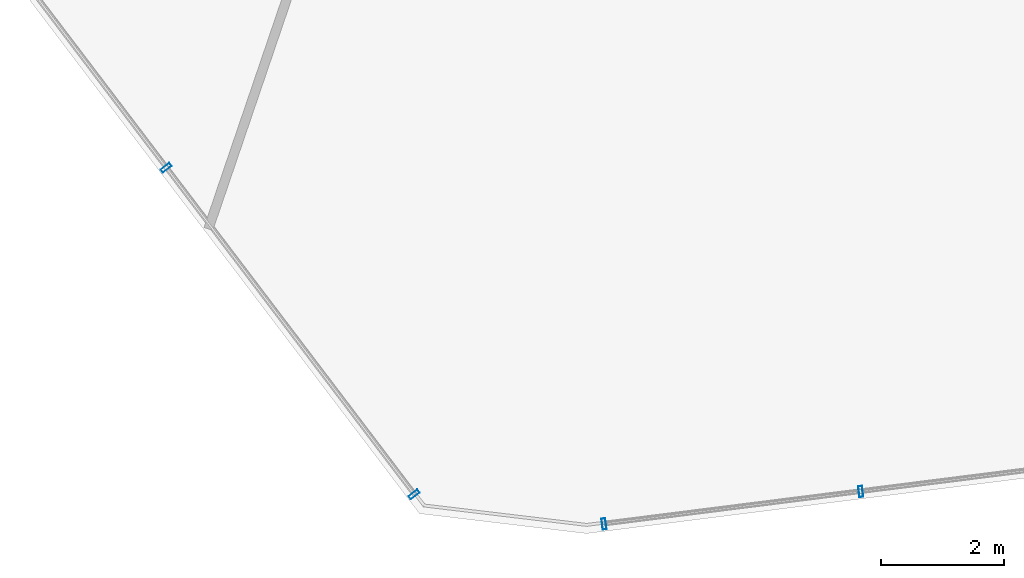
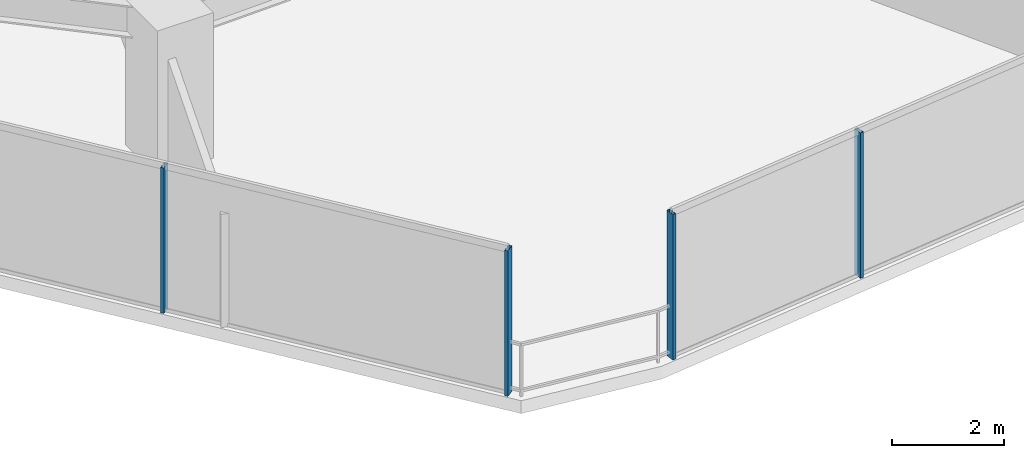
# One storey, part 4 of 30: 4 members, 2 elements without a shape of their own.
"""IFC4 building model written with IfcOpenShell, lengths in metres."""

from ifc_helpers import new_model, si_unit, direction, frame, origin, origin_2d, place, context, subcontext, project, spatial, hollow_rectangle, extrude, material, layer, layer_set, material_profile, profile_set, type_object, element, aggregate, save


model = new_model("IFC4")

# Units and contexts
model_context = context("Model", 3, precision=1e-05, world=origin(), true_north=direction((0.0, 1.0)))
body_context = subcontext(model_context, "Body", "Model", "MODEL_VIEW")
ifc_project = project(units=[si_unit("LENGTHUNIT", "METRE"), si_unit("AREAUNIT", "SQUARE_METRE"), si_unit("VOLUMEUNIT", "CUBIC_METRE"), si_unit("PLANEANGLEUNIT", "RADIAN"), si_unit("MASSUNIT", "GRAM", prefix="KILO")], contexts=[model_context])

# Site, building, storey
site_placement = place(None, origin())
site = spatial("IfcSite", under=ifc_project, at=site_placement, CompositionType="ELEMENT")
building_placement = place(site_placement, origin())
building = spatial("IfcBuilding", under=site, at=building_placement, Name="Qarnah Convention Tower", CompositionType="ELEMENT")
storey_placement = place(building_placement, frame((0.0, 0.0, 93.60009765625)))
storey = spatial("IfcBuildingStorey", under=building, at=storey_placement, Name="L24", CompositionType="ELEMENT", Elevation=93.60009765625)

# Curtain wall, members
ifc_material_1 = material(Name="Tempered Low-E dark glass", Category="glass")
ifc_layer = layer(ifc_material_1, 0.169921875)
ifc_layer_set = layer_set([ifc_layer], Name="Tempered Low-E dark glass")
curtain_wall_type = type_object("IfcCurtainWallType", Name="CWS-02", PredefinedType="NOTDEFINED", material=ifc_layer_set)
curtain_wall_1_placement = place(storey_placement, origin())
curtain_wall_1 = element("IfcCurtainWall", 1, at=curtain_wall_1_placement, inside=storey, type_object=curtain_wall_type, Name="L24 unitised curtain wall CW-L24-F2", PredefinedType="NOTDEFINED")
ifc_material_2 = material(Name="Black anodised aluminium", Category="aluminium")
ifc_material_profile = material_profile(ifc_material_2, hollow_rectangle(XDim=0.06494140625, YDim=0.179931640625, WallThickness=0.00390625, at=origin_2d()), Name="MUL-65X180")
ifc_profile_set = profile_set([ifc_material_profile], Name="Black anodised aluminium")
member_type = type_object("IfcMemberType", Name="MUL-T2", PredefinedType="MULLION", material=ifc_profile_set)
member_1_placement = place(storey_placement, frame((33.8369140625, 1.968017578125, 0.0), z_axis=(0.0, 0.0, 1.0), x_axis=(-0.604606608051, 0.796524230329, 0.0)))
member_1 = element("IfcMember", 2, at=member_1_placement, type_object=member_type, Name="CW-L24-F2 mullion 1", PredefinedType="MULLION", context=body_context, shape_type="SweptSolid", body=[
    extrude(hollow_rectangle(XDim=0.06494140625, YDim=0.179931640625, WallThickness=0.00390625, at=origin_2d()), origin(), (0.0, 0.0, 1.0), 3.169921875),
])
member_2_placement = place(storey_placement, frame((29.8095703125, 7.273681640625, 0.0), z_axis=(0.0, 0.0, 1.0), x_axis=(-0.604606608051, 0.796524230329, 0.0)))
member_2 = element("IfcMember", 3, at=member_2_placement, type_object=member_type, Name="CW-L24-F2 mullion 2", PredefinedType="MULLION", context=body_context, shape_type="SweptSolid", body=[
    extrude(hollow_rectangle(XDim=0.06494140625, YDim=0.179931640625, WallThickness=0.00390625, at=origin_2d()), origin(), (0.0, 0.0, 1.0), 3.169921875),
])
aggregate(curtain_wall_1, [member_1, member_2])

curtain_wall_2_placement = place(storey_placement, origin())
curtain_wall_2 = element("IfcCurtainWall", 4, at=curtain_wall_2_placement, inside=storey, type_object=curtain_wall_type, Name="L24 unitised curtain wall CW-L24-F4", PredefinedType="NOTDEFINED")
member_3_placement = place(storey_placement, frame((41.090576171875, 2.015380859375, 0.0), z_axis=(0.0, 0.0, 1.0), x_axis=(-0.992121516027, -0.125279277757, 0.0)))
member_3 = element("IfcMember", 5, at=member_3_placement, type_object=member_type, Name="CW-L24-F4 mullion 2", PredefinedType="MULLION", context=body_context, shape_type="SweptSolid", body=[
    extrude(hollow_rectangle(XDim=0.06494140625, YDim=0.179931640625, WallThickness=0.00390625, at=origin_2d()), origin(), (0.0, 0.0, 1.0), 3.169921875),
])
member_4_placement = place(storey_placement, frame((36.9208984375, 1.489013671875, 0.0), z_axis=(0.0, 0.0, 1.0), x_axis=(-0.992121516027, -0.125279277757, 0.0)))
member_4 = element("IfcMember", 6, at=member_4_placement, type_object=member_type, Name="CW-L24-F4 mullion 3", PredefinedType="MULLION", context=body_context, shape_type="SweptSolid", body=[
    extrude(hollow_rectangle(XDim=0.06494140625, YDim=0.179931640625, WallThickness=0.00390625, at=origin_2d()), origin(), (0.0, 0.0, 1.0), 3.169921875),
])
aggregate(curtain_wall_2, [member_3, member_4])

save(model, "model.ifc")
